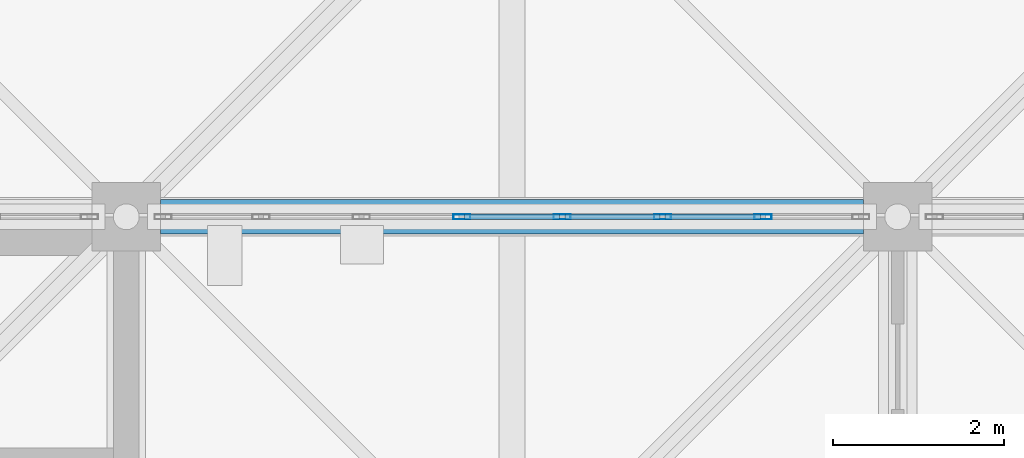
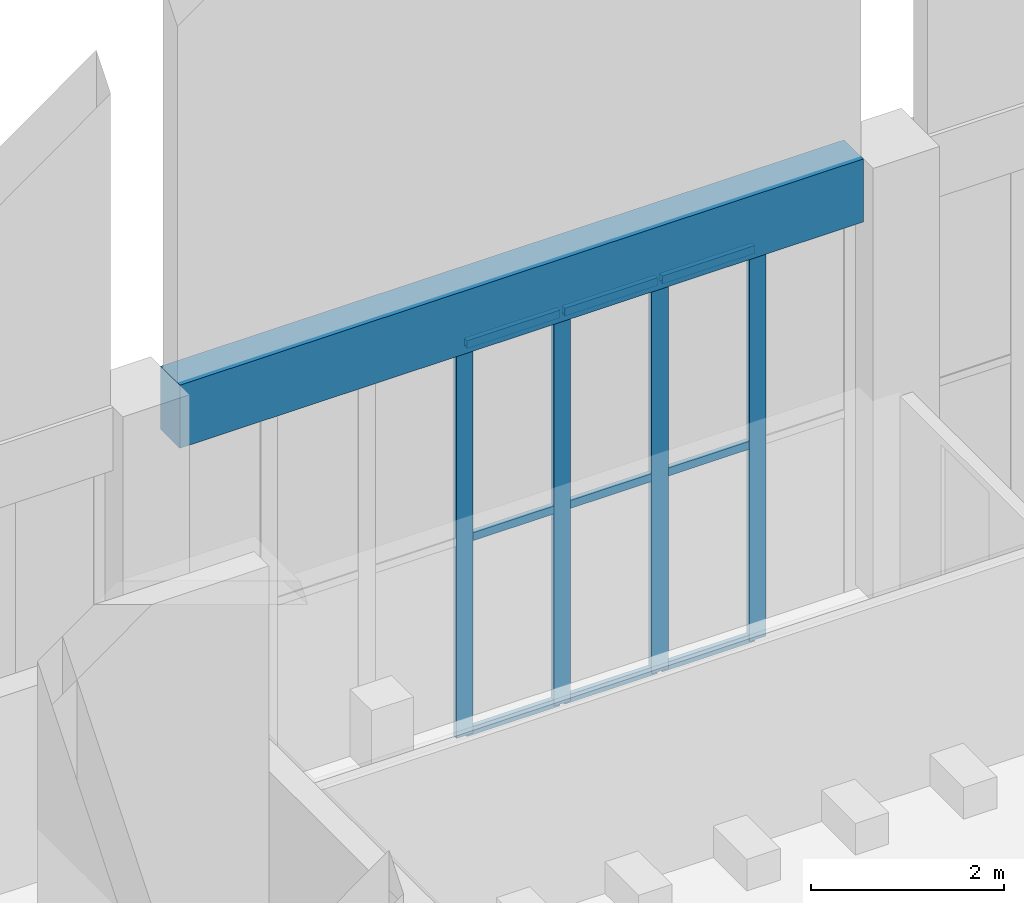
# One storey, part 111 of 437: 13 members, 1 beam, 1 element without a shape of its own.
"""IFC4 building model written with IfcOpenShell, lengths in metres."""

from ifc_helpers import new_model, si_unit, direction, frame, origin, origin_2d, place, context, subcontext, project, spatial, rectangle, hollow_rectangle, extrude, material, layer, layer_set, material_profile, profile_set, type_object, element, aggregate, save


model = new_model("IFC4")

# Units and contexts
model_context = context("Model", 3, precision=1e-05, world=origin(), true_north=direction((0.0, 1.0)))
body_context = subcontext(model_context, "Body", "Model", "MODEL_VIEW")
ifc_project = project(units=[si_unit("LENGTHUNIT", "METRE"), si_unit("AREAUNIT", "SQUARE_METRE"), si_unit("VOLUMEUNIT", "CUBIC_METRE"), si_unit("PLANEANGLEUNIT", "RADIAN"), si_unit("MASSUNIT", "GRAM", prefix="KILO")], contexts=[model_context])

# Site, building, storey
site_placement = place(None, origin())
site = spatial("IfcSite", under=ifc_project, at=site_placement, CompositionType="ELEMENT")
building_placement = place(site_placement, origin())
building = spatial("IfcBuilding", under=site, at=building_placement, Name="Opaline Strait Convention Centre", CompositionType="ELEMENT")
storey_placement = place(building_placement, frame((0.0, 0.0, 11.5)))
storey = spatial("IfcBuildingStorey", under=building, at=storey_placement, Name="L02", CompositionType="ELEMENT", Elevation=11.5)

# Curtain wall, members
ifc_material_1 = material(Name="Aluminium framed double glazing", Category="aluminium")
ifc_layer = layer(ifc_material_1, 0.199951171875)
ifc_layer_set = layer_set([ifc_layer], Name="Aluminium framed double glazing")
curtain_wall_type = type_object("IfcCurtainWallType", Name="Curtain wall 1250", PredefinedType="NOTDEFINED", material=ifc_layer_set)
curtain_wall_placement = place(storey_placement, origin())
curtain_wall = element("IfcCurtainWall", 1, at=curtain_wall_placement, inside=storey, type_object=curtain_wall_type, Name="Curtain wall N-18-L02", PredefinedType="NOTDEFINED")
ifc_material_2 = material(Name="Aluminium alloy 6063", Category="aluminium")
ifc_material_profile_1 = material_profile(ifc_material_2, hollow_rectangle(XDim=0.06005859375, YDim=0.199951171875, WallThickness=0.00390625, at=origin_2d()), Name="MULLION 60x200x4")
ifc_profile_set_1 = profile_set([ifc_material_profile_1], Name="Aluminium alloy 6063")
member_type_1 = type_object("IfcMemberType", Name="Curtain wall mullion 60 x 200", PredefinedType="MULLION", material=ifc_profile_set_1)
member_1_placement = place(storey_placement, frame((21.914306640625, 180.0, -0.280029296875), z_axis=(0.0, 0.0, 1.0), x_axis=(0.0, 1.0, 0.0)))
member_1 = element("IfcMember", 2, at=member_1_placement, type_object=member_type_1, Name="PCW mullion 4", PredefinedType="MULLION", context=body_context, shape_type="SweptSolid", body=[
    extrude(hollow_rectangle(XDim=0.06005859375, YDim=0.199951171875, WallThickness=0.00390625, at=origin_2d()), origin(), (0.0, 0.0, 1.0), 4.97998046875),
])
member_2_placement = place(storey_placement, frame((23.085693359375, 180.0, -0.280029296875), z_axis=(0.0, 0.0, 1.0), x_axis=(0.0, 1.0, 0.0)))
member_2 = element("IfcMember", 3, at=member_2_placement, type_object=member_type_1, Name="PCW mullion 5", PredefinedType="MULLION", context=body_context, shape_type="SweptSolid", body=[
    extrude(hollow_rectangle(XDim=0.06005859375, YDim=0.199951171875, WallThickness=0.00390625, at=origin_2d()), origin(), (0.0, 0.0, 1.0), 4.97998046875),
])
member_3_placement = place(storey_placement, frame((24.257080078125, 180.0, -0.280029296875), z_axis=(0.0, 0.0, 1.0), x_axis=(0.0, 1.0, 0.0)))
member_3 = element("IfcMember", 4, at=member_3_placement, type_object=member_type_1, Name="PCW mullion 6", PredefinedType="MULLION", context=body_context, shape_type="SweptSolid", body=[
    extrude(hollow_rectangle(XDim=0.06005859375, YDim=0.199951171875, WallThickness=0.00390625, at=origin_2d()), origin(), (0.0, 0.0, 1.0), 4.97998046875),
])
member_4_placement = place(storey_placement, frame((25.4287109375, 180.0, -0.280029296875), z_axis=(0.0, 0.0, 1.0), x_axis=(0.0, 1.0, 0.0)))
member_4 = element("IfcMember", 5, at=member_4_placement, type_object=member_type_1, Name="PCW mullion 7", PredefinedType="MULLION", context=body_context, shape_type="SweptSolid", body=[
    extrude(hollow_rectangle(XDim=0.06005859375, YDim=0.199951171875, WallThickness=0.00390625, at=origin_2d()), origin(), (0.0, 0.0, 1.0), 4.97998046875),
])
ifc_material_profile_2 = material_profile(ifc_material_2, hollow_rectangle(XDim=0.06005859375, YDim=0.10009765625, WallThickness=0.0029296875, at=origin_2d()), Name="TRANSOM 60x100x3")
ifc_profile_set_2 = profile_set([ifc_material_profile_2], Name="Aluminium alloy 6063")
member_type_2 = type_object("IfcMemberType", Name="Curtain wall transom 60 x 100", PredefinedType="USERDEFINED", material=ifc_profile_set_2)
member_5_placement = place(storey_placement, frame((21.9443359375, 180.0, -0.25), z_axis=(1.0, 0.0, 0.0), x_axis=(0.0, 1.0, 0.0)))
member_5 = element("IfcMember", 6, at=member_5_placement, type_object=member_type_2, Name="PCW transom 4.1", ObjectType="TRANSOM", PredefinedType="USERDEFINED", context=body_context, shape_type="SweptSolid", body=[
    extrude(hollow_rectangle(XDim=0.06005859375, YDim=0.10009765625, WallThickness=0.0029296875, at=origin_2d()), origin(), (0.0, 0.0, 1.0), 1.111328125),
])
member_6_placement = place(storey_placement, frame((21.9443359375, 180.0, 2.2099609375), z_axis=(1.0, 0.0, 0.0), x_axis=(0.0, 1.0, 0.0)))
member_6 = element("IfcMember", 7, at=member_6_placement, type_object=member_type_2, Name="PCW transom 4.2", ObjectType="TRANSOM", PredefinedType="USERDEFINED", context=body_context, shape_type="SweptSolid", body=[
    extrude(hollow_rectangle(XDim=0.06005859375, YDim=0.10009765625, WallThickness=0.0029296875, at=origin_2d()), origin(), (0.0, 0.0, 1.0), 1.111328125),
])
member_7_placement = place(storey_placement, frame((21.9443359375, 180.0, 4.669921875), z_axis=(1.0, 0.0, 0.0), x_axis=(0.0, 1.0, 0.0)))
member_7 = element("IfcMember", 8, at=member_7_placement, type_object=member_type_2, Name="PCW transom 4.3", ObjectType="TRANSOM", PredefinedType="USERDEFINED", context=body_context, shape_type="SweptSolid", body=[
    extrude(hollow_rectangle(XDim=0.06005859375, YDim=0.10009765625, WallThickness=0.0029296875, at=origin_2d()), origin(), (0.0, 0.0, 1.0), 1.111328125),
])
member_8_placement = place(storey_placement, frame((23.11572265625, 180.0, -0.25), z_axis=(1.0, 0.0, 0.0), x_axis=(0.0, 1.0, 0.0)))
member_8 = element("IfcMember", 9, at=member_8_placement, type_object=member_type_2, Name="PCW transom 5.1", ObjectType="TRANSOM", PredefinedType="USERDEFINED", context=body_context, shape_type="SweptSolid", body=[
    extrude(hollow_rectangle(XDim=0.06005859375, YDim=0.10009765625, WallThickness=0.0029296875, at=origin_2d()), origin(), (0.0, 0.0, 1.0), 1.111572265625),
])
member_9_placement = place(storey_placement, frame((23.11572265625, 180.0, 2.2099609375), z_axis=(1.0, 0.0, 0.0), x_axis=(0.0, 1.0, 0.0)))
member_9 = element("IfcMember", 10, at=member_9_placement, type_object=member_type_2, Name="PCW transom 5.2", ObjectType="TRANSOM", PredefinedType="USERDEFINED", context=body_context, shape_type="SweptSolid", body=[
    extrude(hollow_rectangle(XDim=0.06005859375, YDim=0.10009765625, WallThickness=0.0029296875, at=origin_2d()), origin(), (0.0, 0.0, 1.0), 1.111572265625),
])
member_10_placement = place(storey_placement, frame((23.11572265625, 180.0, 4.669921875), z_axis=(1.0, 0.0, 0.0), x_axis=(0.0, 1.0, 0.0)))
member_10 = element("IfcMember", 11, at=member_10_placement, type_object=member_type_2, Name="PCW transom 5.3", ObjectType="TRANSOM", PredefinedType="USERDEFINED", context=body_context, shape_type="SweptSolid", body=[
    extrude(hollow_rectangle(XDim=0.06005859375, YDim=0.10009765625, WallThickness=0.0029296875, at=origin_2d()), origin(), (0.0, 0.0, 1.0), 1.111572265625),
])
member_11_placement = place(storey_placement, frame((24.287109375, 180.0, -0.25), z_axis=(1.0, 0.0, 0.0), x_axis=(0.0, 1.0, 0.0)))
member_11 = element("IfcMember", 12, at=member_11_placement, type_object=member_type_2, Name="PCW transom 6.1", ObjectType="TRANSOM", PredefinedType="USERDEFINED", context=body_context, shape_type="SweptSolid", body=[
    extrude(hollow_rectangle(XDim=0.06005859375, YDim=0.10009765625, WallThickness=0.0029296875, at=origin_2d()), origin(), (0.0, 0.0, 1.0), 1.111572265625),
])
member_12_placement = place(storey_placement, frame((24.287109375, 180.0, 2.2099609375), z_axis=(1.0, 0.0, 0.0), x_axis=(0.0, 1.0, 0.0)))
member_12 = element("IfcMember", 13, at=member_12_placement, type_object=member_type_2, Name="PCW transom 6.2", ObjectType="TRANSOM", PredefinedType="USERDEFINED", context=body_context, shape_type="SweptSolid", body=[
    extrude(hollow_rectangle(XDim=0.06005859375, YDim=0.10009765625, WallThickness=0.0029296875, at=origin_2d()), origin(), (0.0, 0.0, 1.0), 1.111572265625),
])
member_13_placement = place(storey_placement, frame((24.287109375, 180.0, 4.669921875), z_axis=(1.0, 0.0, 0.0), x_axis=(0.0, 1.0, 0.0)))
member_13 = element("IfcMember", 14, at=member_13_placement, type_object=member_type_2, Name="PCW transom 6.3", ObjectType="TRANSOM", PredefinedType="USERDEFINED", context=body_context, shape_type="SweptSolid", body=[
    extrude(hollow_rectangle(XDim=0.06005859375, YDim=0.10009765625, WallThickness=0.0029296875, at=origin_2d()), origin(), (0.0, 0.0, 1.0), 1.111572265625),
])
aggregate(curtain_wall, [member_1, member_2, member_3, member_4, member_5, member_6, member_7, member_8, member_9, member_10, member_11, member_12, member_13])

# Beam
ifc_material_3 = material(Name="Concrete C35", Category="concrete")
ifc_material_profile_3 = material_profile(ifc_material_3, rectangle(XDim=0.39990234375, YDim=0.800048828125, at=origin_2d()), Name="RC 400x800")
ifc_profile_set_3 = profile_set([ifc_material_profile_3], Name="Concrete C35")
beam_type = type_object("IfcBeamType", Name="RC ground beam 400x800 C35", PredefinedType="BEAM", material=ifc_profile_set_3)
beam_placement = place(storey_placement, frame((18.39990234375, 180.0, 5.10009765625), z_axis=(1.0, 0.0, 0.0), x_axis=(0.0, 1.0, 0.0)))
element("IfcBeam", 15, at=beam_placement, inside=storey, type_object=beam_type, Name="PGB1 end wall head beam 2", PredefinedType="BEAM", context=body_context, shape_type="SweptSolid", body=[
    extrude(rectangle(XDim=0.39990234375, YDim=0.800048828125, at=origin_2d()), origin(), (0.0, 0.0, 1.0), 8.2001953125),
])

save(model, "model.ifc")
